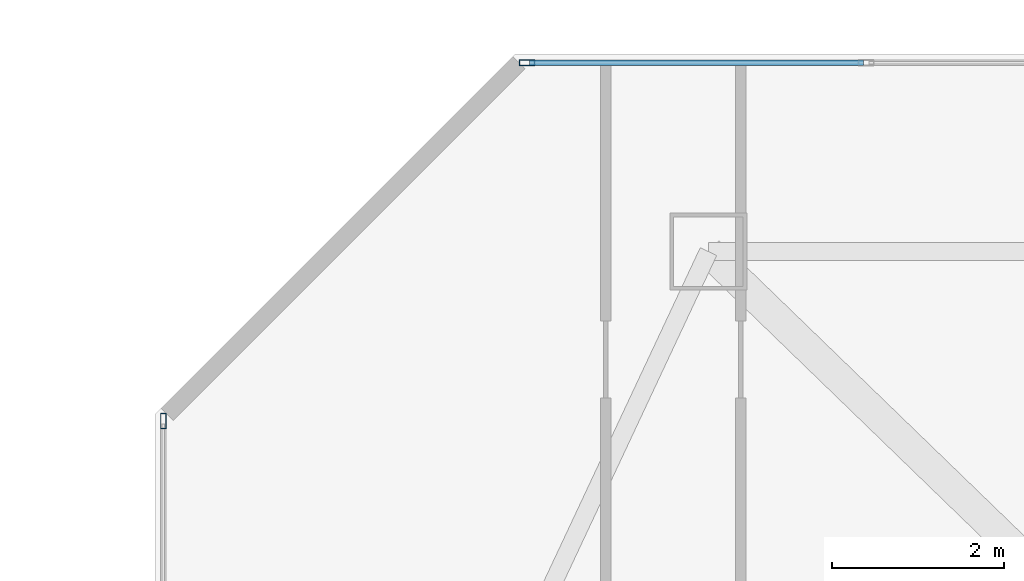
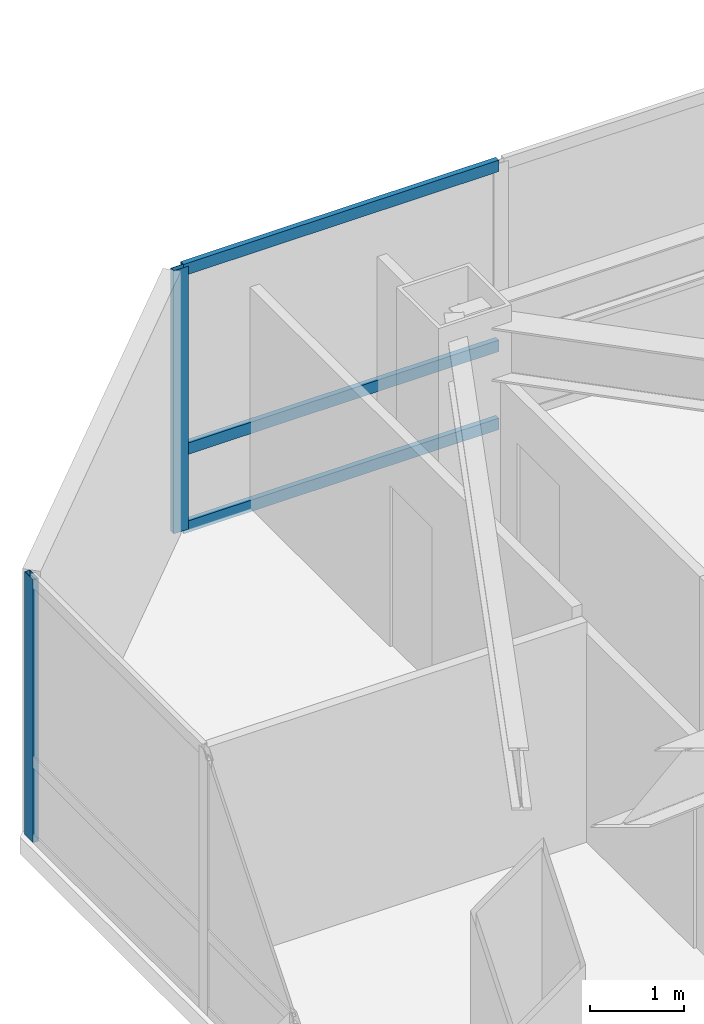
# One storey, part 5 of 21: 5 members, 2 elements without a shape of their own.
"""IFC4 building model written with IfcOpenShell, lengths in metres."""

import ifcopenshell
import ifcopenshell.guid

model = None  # the IFC model being written
_history = None  # IfcOwnerHistory: only IFC2X3 demands one
_inside = {}  # id of a spatial element -> (the spatial element, [elements in it])
_under = {}  # id of a project, library or spatial element -> (it, [spatial elements below it])
_declared = {}  # id of a project -> (the project, [libraries it declares])
_typed = {}  # id of a type object -> (the type object, [elements of that type])
_made_of = {}  # id of a material, layer set ... -> (it, [elements and type objects made of it])


def new_model(schema):
    """Start an empty IFC model of exactly this schema.

    Asked for "IFC4X3", IfcOpenShell would pick the latest addendum, in which some entities
    have other attributes; the version numbers below select the first issue.
    IFC2X3 requires an IfcOwnerHistory on every rooted entity: one is made here for all.
    """
    global model, _history
    if schema == "IFC4X3":
        model = ifcopenshell.file(schema_version=(4, 3, 0, 0))
    else:
        model = ifcopenshell.file(schema=schema)
    _inside.clear()
    _under.clear()
    _declared.clear()
    _typed.clear()
    _made_of.clear()
    _history = None
    if model.schema == "IFC2X3":
        org = make("IfcOrganization", Name="unknown")
        user = make(
            "IfcPersonAndOrganization",
            ThePerson=make("IfcPerson", FamilyName="unknown"),
            TheOrganization=org,
        )
        app = make(
            "IfcApplication",
            ApplicationDeveloper=org,
            Version="unknown",
            ApplicationFullName="unknown",
            ApplicationIdentifier="unknown",
        )
        _history = make(
            "IfcOwnerHistory",
            OwningUser=user,
            OwningApplication=app,
            ChangeAction="ADDED",
            CreationDate=0,
        )
    return model


def make(cls, **values):
    """One entity of the class cls with the attributes given. An attribute that is None is left unset."""
    return model.create_entity(
        cls, **{name: value for name, value in values.items() if value is not None}
    )


def rooted(cls, **values):
    """An entity with a GlobalId (a new one), such as an element, a storey or a relation."""
    return make(cls, GlobalId=ifcopenshell.guid.new(), OwnerHistory=_history, **values)


def si_unit(unit_type, name, prefix=None):
    """IfcSIUnit, for example si_unit("LENGTHUNIT", "METRE", prefix="MILLI")."""
    return make("IfcSIUnit", UnitType=unit_type, Prefix=prefix, Name=name)


def assignment(units):
    """IfcUnitAssignment: the units of a project."""
    return None if units is None else make("IfcUnitAssignment", Units=units)


def point(xyz):
    """IfcCartesianPoint."""
    return None if xyz is None else make("IfcCartesianPoint", Coordinates=xyz)


def direction(xyz):
    """IfcDirection."""
    return None if xyz is None else make("IfcDirection", DirectionRatios=xyz)


def frame(location, z_axis=None, x_axis=None):
    """IfcAxis2Placement3D, a coordinate frame: its origin and axes. An axis left out is left unset."""
    return make(
        "IfcAxis2Placement3D",
        Location=point(location),
        Axis=direction(z_axis),
        RefDirection=direction(x_axis),
    )


def frame_2d(location, x_axis=None):
    """IfcAxis2Placement2D, a coordinate frame in the plane: its origin and x axis."""
    return make(
        "IfcAxis2Placement2D", Location=point(location), RefDirection=direction(x_axis)
    )


def origin():
    """The frame at (0, 0, 0) with its axes left unset."""
    return frame((0.0, 0.0, 0.0))


def origin_2d():
    """The frame at (0, 0) in the plane with its x axis left unset."""
    return frame_2d((0.0, 0.0))


def place(relative_to, where):
    """IfcLocalPlacement: puts the frame where relative to a parent placement (None: the world)."""
    return make(
        "IfcLocalPlacement", PlacementRelTo=relative_to, RelativePlacement=where
    )


def context(
    kind, dimensions, precision=None, world=None, true_north=None, identifier=None
):
    """IfcGeometricRepresentationContext, for example the 3D "Model" context."""
    return make(
        "IfcGeometricRepresentationContext",
        ContextIdentifier=identifier,
        ContextType=kind,
        CoordinateSpaceDimension=dimensions,
        Precision=precision,
        WorldCoordinateSystem=world,
        TrueNorth=true_north,
    )


def subcontext(parent, identifier, kind, view, scale=None):
    """IfcGeometricRepresentationSubContext, for example "Body" below "Model"."""
    return make(
        "IfcGeometricRepresentationSubContext",
        ContextIdentifier=identifier,
        ContextType=kind,
        ParentContext=parent,
        TargetScale=scale,
        TargetView=view,
    )


def project(units=None, contexts=None):
    """IfcProject with its units and contexts."""
    return rooted(
        "IfcProject",
        Name="project",
        RepresentationContexts=contexts,
        UnitsInContext=assignment(units),
    )


def spatial(cls, under=None, at=None, **own):
    """A site, building, storey or space (cls), placed at a placement, below another one or the project."""
    s = rooted(cls, ObjectPlacement=at, **own)
    if under is not None:
        _under.setdefault(under.id(), (under, []))[1].append(s)
    return s


def profile(cls, at=None, kind="AREA", **sizes):
    """A parametric profile (cls). Its sizes go by their IFC names, for example OverallWidth=200.0."""
    return make(cls, ProfileType=kind, Position=at, **sizes)


def hollow_rectangle(**sizes):
    """IfcRectangleHollowProfileDef."""
    return profile("IfcRectangleHollowProfileDef", **sizes)


def extrude(swept, where, along, depth):
    """IfcExtrudedAreaSolid: the profile swept, set in the frame where, extruded along a direction by depth."""
    return make(
        "IfcExtrudedAreaSolid",
        SweptArea=swept,
        Position=where,
        ExtrudedDirection=direction(along),
        Depth=depth,
    )


def shape(context_of_items, identifier, shape_type, items):
    """IfcShapeRepresentation: the items that make up one representation, for example the "Body"."""
    return make(
        "IfcShapeRepresentation",
        ContextOfItems=context_of_items,
        RepresentationIdentifier=identifier,
        RepresentationType=shape_type,
        Items=items,
    )


def material(Name=None, Category=None):
    """IfcMaterial."""
    return make("IfcMaterial", Name=Name, Category=Category)


def material_profile(
    of_material, cross_section, Name=None, Category=None, Priority=None
):
    """IfcMaterialProfile: a cross section and its material."""
    return make(
        "IfcMaterialProfile",
        Name=Name,
        Material=of_material,
        Profile=cross_section,
        Priority=Priority,
        Category=Category,
    )


def profile_set(profiles, Name=None, composite=None):
    """IfcMaterialProfileSet."""
    return make(
        "IfcMaterialProfileSet",
        Name=Name,
        MaterialProfiles=profiles,
        CompositeProfile=composite,
    )


def made_of(thing, what):
    """Note that an element or type object is made of a material, layer set ...; save() writes the relation."""
    if what is not None:
        _made_of.setdefault(what.id(), (what, []))[1].append(thing)
    return thing


def type_object(cls, material=None, **own):
    """A type object (cls), such as IfcWallType, which elements share."""
    return made_of(rooted(cls, **own), material)


def element(
    cls,
    number,
    at=None,
    inside=None,
    cuts=None,
    type_object=None,
    material=None,
    context=None,
    identifier="Body",
    shape_type=None,
    held_by="IfcProductDefinitionShape",
    body=None,
    shapes=None,
    **own,
):
    """One element of the class cls, such as IfcWall. Its Tag is "e" and its number.

    at: its placement. inside: the storey or other place that contains it. cuts: it is an
    opening in that element (IfcRelVoidsElement). A single representation is given by context,
    identifier, shape_type and body (its items); several are given by shapes. held_by: the class
    of the entity that holds the representations. save() writes the other relations.
    """
    e = rooted(cls, Tag="e%d" % number, ObjectPlacement=at, **own)
    if body is not None:
        shapes = [shape(context, identifier, shape_type, body)]
    if shapes is not None:
        e.Representation = make(held_by, Representations=shapes)
    if inside is not None:
        _inside.setdefault(inside.id(), (inside, []))[1].append(e)
    if cuts is not None:
        rooted(
            "IfcRelVoidsElement", RelatingBuildingElement=cuts, RelatedOpeningElement=e
        )
    if type_object is not None:
        _typed.setdefault(type_object.id(), (type_object, []))[1].append(e)
    return made_of(e, material)


def aggregate(whole, parts):
    """IfcRelAggregates: a whole, such as a stair, and the parts it consists of."""
    return rooted("IfcRelAggregates", RelatingObject=whole, RelatedObjects=parts)


def save(model, path):
    """Write the relations noted so far, then the file.

    IfcRelAggregates (storeys below a building ...), IfcRelContainedInSpatialStructure (elements
    in a storey), IfcRelDefinesByType, IfcRelAssociatesMaterial and IfcRelDeclares: one each for
    every whole, place, type object, material and project.
    """
    for whole, parts in _under.values():
        aggregate(whole, parts)
    for where, things in _inside.values():
        rooted(
            "IfcRelContainedInSpatialStructure",
            RelatedElements=things,
            RelatingStructure=where,
        )
    for kind, things in _typed.values():
        rooted("IfcRelDefinesByType", RelatedObjects=things, RelatingType=kind)
    for what, things in _made_of.values():
        rooted("IfcRelAssociatesMaterial", RelatedObjects=things, RelatingMaterial=what)
    for by, libraries in _declared.values():
        rooted("IfcRelDeclares", RelatingContext=by, RelatedDefinitions=libraries)
    model.write(path)


model = new_model("IFC4")

# Units and contexts
model_context = context("Model", 3, precision=1e-05, world=origin(), true_north=direction((0.0, 1.0)))
body_context = subcontext(model_context, "Body", "Model", "MODEL_VIEW")
ifc_project = project(units=[si_unit("LENGTHUNIT", "METRE"), si_unit("AREAUNIT", "SQUARE_METRE"), si_unit("VOLUMEUNIT", "CUBIC_METRE"), si_unit("PLANEANGLEUNIT", "RADIAN"), si_unit("MASSUNIT", "GRAM", prefix="KILO")], contexts=[model_context])

# Site, building, storey
site_placement = place(None, origin())
site = spatial("IfcSite", under=ifc_project, at=site_placement, CompositionType="ELEMENT")
building_placement = place(site_placement, origin())
building = spatial("IfcBuilding", under=site, at=building_placement, Name="Khamvora Tower", CompositionType="ELEMENT")
storey_placement = place(building_placement, frame((0.0, 0.0, 159.550048828125)))
storey = spatial("IfcBuildingStorey", under=building, at=storey_placement, Name="L40", CompositionType="ELEMENT", Elevation=159.550048828125)

# Curtain wall, member
ifc_material = material(Name="Anodised Aluminium 6063-T6", Category="aluminium")
curtain_wall_type = type_object("IfcCurtainWallType", Name="CW-SYS-04", PredefinedType="NOTDEFINED", material=ifc_material)
curtain_wall_1_placement = place(storey_placement, origin())
curtain_wall_1 = element("IfcCurtainWall", 1, at=curtain_wall_1_placement, inside=storey, type_object=curtain_wall_type, Name="L40 stick curtain wall 05.1", PredefinedType="NOTDEFINED")
ifc_material_profile_1 = material_profile(ifc_material, hollow_rectangle(XDim=0.06494140625, YDim=0.179931640625, WallThickness=0.0048828125, at=origin_2d()), Name="MUL65x180x5")
ifc_profile_set_1 = profile_set([ifc_material_profile_1], Name="Anodised Aluminium 6063-T6")
member_type_1 = type_object("IfcMemberType", Name="CW-SYS-04-MUL", PredefinedType="MULLION", material=ifc_profile_set_1)
member_1_placement = place(storey_placement, frame((14.89990234375, 42.526611328125, 0.0), z_axis=(0.0, 0.0, 1.0), x_axis=(-1.0, 0.0, 0.0)))
member_1 = element("IfcMember", 2, at=member_1_placement, type_object=member_type_1, Name="CW-04 mullion 4", PredefinedType="MULLION", context=body_context, shape_type="SweptSolid", body=[
    extrude(hollow_rectangle(XDim=0.06494140625, YDim=0.179931640625, WallThickness=0.0048828125, at=origin_2d()), origin(), (0.0, 0.0, 1.0), 3.429931640625),
])
aggregate(curtain_wall_1, [member_1])

# Curtain wall, members
curtain_wall_2_placement = place(storey_placement, origin())
curtain_wall_2 = element("IfcCurtainWall", 3, at=curtain_wall_2_placement, inside=storey, type_object=curtain_wall_type, Name="L40 stick curtain wall 07.1", PredefinedType="NOTDEFINED")
member_2_placement = place(storey_placement, frame((19.134521484375, 46.699951171875, 0.0), z_axis=(0.0, 0.0, 1.0), x_axis=(0.0, 1.0, 0.0)))
member_2 = element("IfcMember", 4, at=member_2_placement, type_object=member_type_1, Name="CW-04 mullion 1", PredefinedType="MULLION", context=body_context, shape_type="SweptSolid", body=[
    extrude(hollow_rectangle(XDim=0.06494140625, YDim=0.179931640625, WallThickness=0.0048828125, at=origin_2d()), origin(), (0.0, 0.0, 1.0), 3.429931640625),
])
ifc_material_profile_2 = material_profile(ifc_material, hollow_rectangle(XDim=0.06494140625, YDim=0.14990234375, WallThickness=0.0048828125, at=origin_2d()), Name="TRN65x150x5")
ifc_profile_set_2 = profile_set([ifc_material_profile_2], Name="Anodised Aluminium 6063-T6")
member_type_2 = type_object("IfcMemberType", Name="CW-SYS-04-TRN", PredefinedType="USERDEFINED", material=ifc_profile_set_2)
member_3_placement = place(storey_placement, frame((19.1669921875, 46.699951171875, 0.032470703125), z_axis=(1.0, 0.0, 0.0), x_axis=(0.0, 1.0, 0.0)))
member_3 = element("IfcMember", 5, at=member_3_placement, type_object=member_type_2, Name="CW-04 transom 1.1", ObjectType="TRANSOM", PredefinedType="USERDEFINED", context=body_context, shape_type="SweptSolid", body=[
    extrude(hollow_rectangle(XDim=0.06494140625, YDim=0.14990234375, WallThickness=0.0048828125, at=origin_2d()), origin(), (0.0, 0.0, 1.0), 3.88818359375),
])
member_4_placement = place(storey_placement, frame((19.1669921875, 46.699951171875, 1.050048828125), z_axis=(1.0, 0.0, 0.0), x_axis=(0.0, 1.0, 0.0)))
member_4 = element("IfcMember", 6, at=member_4_placement, type_object=member_type_2, Name="CW-04 transom 1.2", ObjectType="TRANSOM", PredefinedType="USERDEFINED", context=body_context, shape_type="SweptSolid", body=[
    extrude(hollow_rectangle(XDim=0.06494140625, YDim=0.14990234375, WallThickness=0.0048828125, at=origin_2d()), origin(), (0.0, 0.0, 1.0), 3.88818359375),
])
member_5_placement = place(storey_placement, frame((19.1669921875, 46.699951171875, 3.3974609375), z_axis=(1.0, 0.0, 0.0), x_axis=(0.0, 1.0, 0.0)))
member_5 = element("IfcMember", 7, at=member_5_placement, type_object=member_type_2, Name="CW-04 transom 1.3", ObjectType="TRANSOM", PredefinedType="USERDEFINED", context=body_context, shape_type="SweptSolid", body=[
    extrude(hollow_rectangle(XDim=0.06494140625, YDim=0.14990234375, WallThickness=0.0048828125, at=origin_2d()), origin(), (0.0, 0.0, 1.0), 3.88818359375),
])
aggregate(curtain_wall_2, [member_2, member_3, member_4, member_5])

save(model, "model.ifc")
